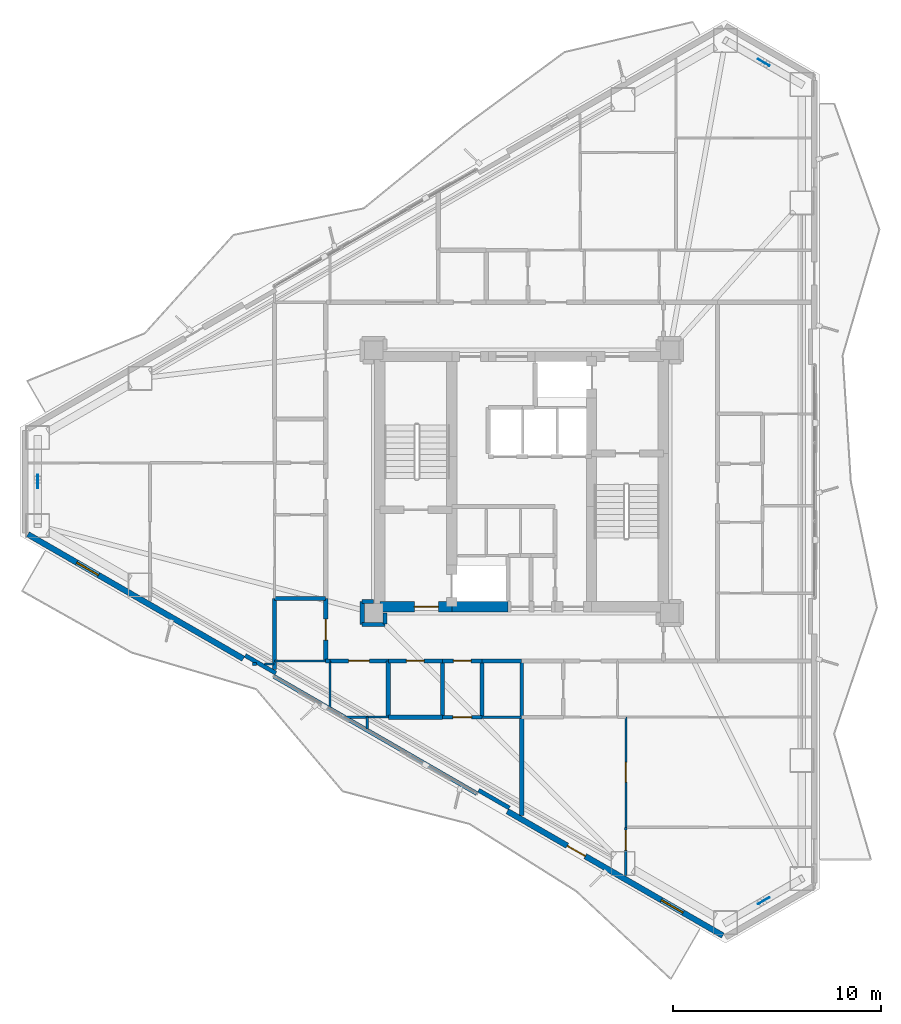
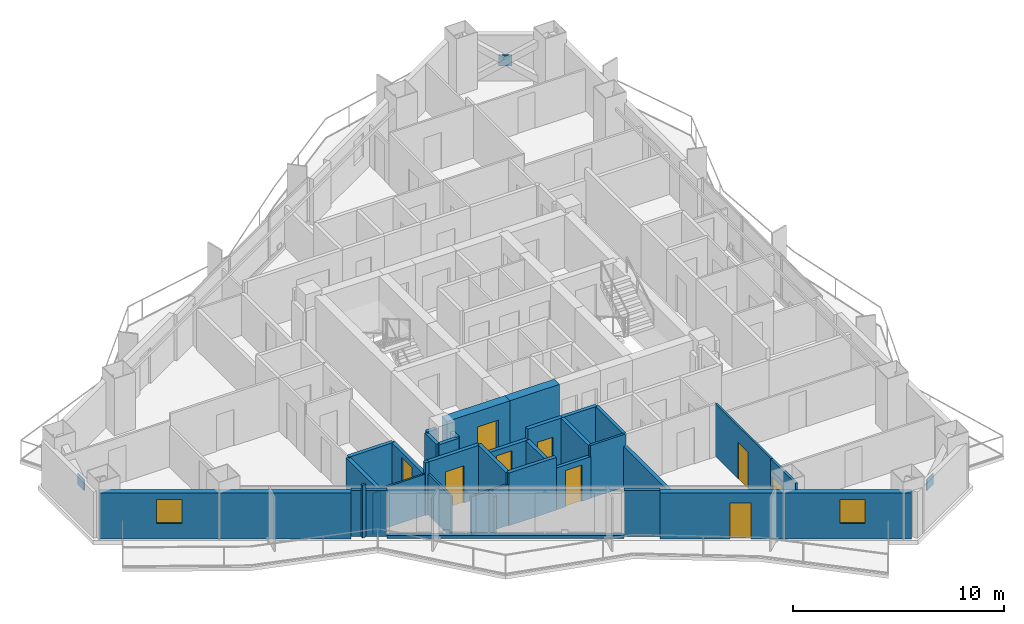
# One storey, part 15 of 22: 36 walls, 9 doors, 3 plates, 2 windows, 11 openings.
"""IFC4 building model written with IfcOpenShell, lengths in metres."""

from ifc_helpers import new_model, si_unit, direction, frame, frame_2d, origin, origin_2d, place, context, subcontext, project, spatial, rectangle, extrude, material, layer, layer_set, type_object, element, fill, save


model = new_model("IFC4")

# Units and contexts
model_context = context("Model", 3, precision=1e-05, world=origin(), true_north=direction((0.0, 1.0)))
body_context = subcontext(model_context, "Body", "Model", "MODEL_VIEW")
ifc_project = project(units=[si_unit("LENGTHUNIT", "METRE"), si_unit("AREAUNIT", "SQUARE_METRE"), si_unit("VOLUMEUNIT", "CUBIC_METRE"), si_unit("PLANEANGLEUNIT", "RADIAN"), si_unit("MASSUNIT", "GRAM", prefix="KILO")], contexts=[model_context])

# Site, building, storey
site_placement = place(None, origin())
site = spatial("IfcSite", under=ifc_project, at=site_placement, CompositionType="ELEMENT")
building_placement = place(site_placement, origin())
building = spatial("IfcBuilding", under=site, at=building_placement, Name="Mersakhor Tower and Convention Hall", CompositionType="ELEMENT")
storey_placement = place(building_placement, frame((0.0, 0.0, 76.800048828125)))
storey = spatial("IfcBuildingStorey", under=building, at=storey_placement, Name="L20", CompositionType="ELEMENT", Elevation=76.800048828125)

# Plates
ifc_material_1 = material(Name="Steel S460", Category="steel")
ifc_layer_1 = layer(ifc_material_1, 0.0400390625)
ifc_layer_set_1 = layer_set([ifc_layer_1], Name="Steel S460")
plate_type = type_object("IfcPlateType", Name="PL-GUSSET-40", PredefinedType="SHEET", material=ifc_layer_set_1)
for number, where, z_axis, x_axis, name in (
    (1, (40.606689453125, 46.853515625, 1.205078125), (0.0, 0.0, 1.0), (-0.866025403784, 0.5, 0.0), "L20 X-Brace Crossing Gusset Node Plate"),
    (2, (40.606689453125, 6.646728515625, 1.205078125), (0.0, 0.0, 1.0), (0.866025403784, 0.5, 0.0), "L20 X-Brace Crossing Gusset Node Plate"),
    (3, (5.78662109375, 26.75, 1.205078125), (0.0, 0.0, 1.0), (0.0, -1.0, 0.0), "L20 X-Brace Crossing Gusset Node Plate"),
):
    element("IfcPlate", number, at=place(storey_placement, frame(where, z_axis=z_axis, x_axis=x_axis)), inside=storey, type_object=plate_type, Name=name, PredefinedType="SHEET", context=body_context, shape_type="SweptSolid", body=[
        extrude(rectangle(XDim=0.639892578125, YDim=0.0400390625, at=origin_2d()), origin(), (0.0, 0.0, 1.0), 0.639892578125),
    ])

# Wall, openings, door, window
ifc_material_2 = material(Name="Precast concrete C45/55", Category="concrete")
ifc_layer_2 = layer(ifc_material_2, 0.27490234375)
ifc_layer_set_2 = layer_set([ifc_layer_2], Name="Precast concrete C45/55")
wall_type_1 = type_object("IfcWallType", Name="WL-EXT-275", PredefinedType="SOLIDWALL", material=ifc_layer_set_2)
wall_1_placement = place(storey_placement, frame((38.648681640625, 4.973388671875, 0.0), z_axis=(0.0, 0.0, 1.0), x_axis=(-0.866023023012, 0.500004123596, 0.0)))
wall_1 = element("IfcWall", 4, at=wall_1_placement, inside=storey, type_object=wall_type_1, Name="L20 Exterior Facade Wall F3-B1", PredefinedType="SOLIDWALL", context=body_context, shape_type="SweptSolid", body=[
    extrude(rectangle(XDim=11.9296875, YDim=0.27490234375, at=frame_2d((5.96484375, 0.0))), origin(), (0.0, 0.0, 1.0), 2.669921875),
])
opening_1_placement = place(wall_1_placement, frame((7.615966796875, 0.0, 0.0)))
opening_1 = element("IfcOpeningElement", 5, at=opening_1_placement, cuts=wall_1, Name="Opening BD-01", PredefinedType="OPENING", context=body_context, shape_type="SweptSolid", body=[
    extrude(rectangle(XDim=1.0, YDim=2.10009765625, at=frame_2d((0.5, 1.050048828125))), frame((0.0, 0.1474609375, 0.0), z_axis=(0.0, -1.0, 0.0), x_axis=(1.0, 0.0, 0.0)), (0.0, 0.0, 1.0), 0.294921875),
])
opening_2_placement = place(wall_1_placement, frame((2.20703125, 0.0, 0.89990234375)))
opening_2 = element("IfcOpeningElement", 6, at=opening_2_placement, cuts=wall_1, Name="Opening W-01", PredefinedType="OPENING", context=body_context, shape_type="SweptSolid", body=[
    extrude(rectangle(XDim=1.199951171875, YDim=1.39990234375, at=frame_2d((0.60009765625, 0.699951171875))), frame((0.0, 0.1474609375, 0.0), z_axis=(0.0, -1.0, 0.0), x_axis=(1.0, 0.0, 0.0)), (0.0, 0.0, 1.0), 0.294921875),
])
ifc_material_3 = material(Name="Thermally broken dark aluminium and safety glass", Category="aluminium")
door_type_1 = type_object("IfcDoorType", Name="DR-BAL-100x210", OperationType="NOTDEFINED", PredefinedType="DOOR", material=ifc_material_3)
door_1_placement = place(opening_1_placement, origin())
door_1 = element("IfcDoor", 7, at=door_1_placement, inside=storey, type_object=door_type_1, Name="L20 Balcony Terrace Door F3-B1", OperationType="SINGLE_SWING_LEFT", OverallHeight=2.10009765625, OverallWidth=1.0, PredefinedType="DOOR", context=body_context, shape_type="SweptSolid", body=[
    extrude(rectangle(XDim=1.0, YDim=2.10009765625, at=frame_2d((0.5, 1.050048828125))), frame((0.0, 0.02490234375, 0.0), z_axis=(0.0, -1.0, 0.0), x_axis=(1.0, 0.0, 0.0)), (0.0, 0.0, 1.0), 0.050048828125),
])
fill(opening_1, door_1)
ifc_material_4 = material(Name="Dark solar low-E glazed aluminium window", Category="aluminium")
window_type = type_object("IfcWindowType", Name="WN-RES-120x150", PartitioningType="SINGLE_PANEL", PredefinedType="WINDOW", material=ifc_material_4)
window_1_placement = place(opening_2_placement, origin())
window_1 = element("IfcWindow", 8, at=window_1_placement, inside=storey, type_object=window_type, Name="L20 Bedroom Facade Window F3-B1-1", OverallHeight=1.39990234375, OverallWidth=1.199951171875, PartitioningType="SINGLE_PANEL", PredefinedType="WINDOW", context=body_context, shape_type="SweptSolid", body=[
    extrude(rectangle(XDim=1.199951171875, YDim=1.39990234375, at=frame_2d((0.60009765625, 0.699951171875))), frame((0.0, 0.030029296875, 0.0), z_axis=(0.0, -1.0, 0.0), x_axis=(1.0, 0.0, 0.0)), (0.0, 0.0, 1.0), 0.06005859375),
])
fill(opening_2, window_1)

# Wall, opening, window
wall_2_placement = place(storey_placement, frame((15.64794921875, 18.2529296875, 0.0), z_axis=(0.0, 0.0, 1.0), x_axis=(-0.866023023012, 0.500004123596, 0.0)))
wall_2 = element("IfcWall", 9, at=wall_2_placement, inside=storey, type_object=wall_type_1, Name="L20 Exterior Facade Wall F3-B3", PredefinedType="SOLIDWALL", context=body_context, shape_type="SweptSolid", body=[
    extrude(rectangle(XDim=11.9296875, YDim=0.27490234375, at=frame_2d((5.96484375, 0.0))), origin(), (0.0, 0.0, 1.0), 2.669921875),
])
opening_3_placement = place(wall_2_placement, frame((8.02099609375, 0.0, 0.89990234375)))
opening_3 = element("IfcOpeningElement", 10, at=opening_3_placement, cuts=wall_2, Name="Opening W-01", PredefinedType="OPENING", context=body_context, shape_type="SweptSolid", body=[
    extrude(rectangle(XDim=1.199951171875, YDim=1.39990234375, at=frame_2d((0.60009765625, 0.699951171875))), frame((0.0, 0.1474609375, 0.0), z_axis=(0.0, -1.0, 0.0), x_axis=(1.0, 0.0, 0.0)), (0.0, 0.0, 1.0), 0.294921875),
])
window_2_placement = place(opening_3_placement, origin())
window_2 = element("IfcWindow", 11, at=window_2_placement, inside=storey, type_object=window_type, Name="L20 Bedroom Facade Window F3-B3-1", OverallHeight=1.39990234375, OverallWidth=1.199951171875, PartitioningType="SINGLE_PANEL", PredefinedType="WINDOW", context=body_context, shape_type="SweptSolid", body=[
    extrude(rectangle(XDim=1.199951171875, YDim=1.39990234375, at=frame_2d((0.60009765625, 0.699951171875))), frame((0.0, 0.030029296875, 0.0), z_axis=(0.0, -1.0, 0.0), x_axis=(1.0, 0.0, 0.0)), (0.0, 0.0, 1.0), 0.06005859375),
])
fill(opening_3, window_2)

# Walls
ifc_material_5 = material(Name="Precast concrete C40/50", Category="concrete")
ifc_layer_3 = layer(ifc_material_5, 0.199951171875)
ifc_layer_set_3 = layer_set([ifc_layer_3], Name="Precast concrete C40/50")
wall_type_2 = type_object("IfcWallType", Name="WL-PAR-200", PredefinedType="PARAPET", material=ifc_layer_set_3)
wall_3_placement = place(storey_placement, frame((26.84521484375, 11.788330078125, 0.0), z_axis=(0.0, 0.0, 1.0), x_axis=(-0.866027010039, 0.499997217876, 0.0)))
element("IfcWall", 12, at=wall_3_placement, inside=storey, type_object=wall_type_2, Name="L20 Curtain Wall Upstand Sill F3-B2", PredefinedType="PARAPET", context=body_context, shape_type="SweptSolid", body=[
    extrude(rectangle(XDim=11.2294921875, YDim=0.199951171875, at=frame_2d((5.61474609375, 0.0))), origin(), (0.0, 0.0, 1.0), 0.199951171875),
])
wall_4_placement = place(storey_placement, frame((28.407470703125, 11.09423828125, 0.0), z_axis=(0.0, 0.0, 1.0), x_axis=(-0.86605165483, 0.499954529098, 0.0)))
element("IfcWall", 13, at=wall_4_placement, inside=storey, type_object=wall_type_2, Name="L20 Column Pier Cladding Wall F3-C1", PredefinedType="PARAPET", context=body_context, shape_type="SweptSolid", body=[
    extrude(rectangle(XDim=1.699951171875, YDim=0.199951171875, at=frame_2d((0.85009765625, 0.0))), origin(), (0.0, 0.0, 1.0), 2.669921875),
])
wall_5_placement = place(storey_placement, frame((17.210205078125, 17.558837890625, 0.0), z_axis=(0.0, 0.0, 1.0), x_axis=(-0.866025371046, 0.500000056704, 0.0)))
element("IfcWall", 14, at=wall_5_placement, inside=storey, type_object=wall_type_2, Name="L20 Column Pier Cladding Wall F3-C2", PredefinedType="PARAPET", context=body_context, shape_type="SweptSolid", body=[
    extrude(rectangle(XDim=1.7001953125, YDim=0.199951171875, at=frame_2d((0.85009765625, 0.0))), origin(), (0.0, 0.0, 1.0), 2.669921875),
])

# Wall, opening, door
ifc_material_6 = material(Name="Moisture-resistant acoustic drywall studwork", Category="other")
ifc_layer_4 = layer(ifc_material_6, 0.175048828125)
ifc_layer_set_4 = layer_set([ifc_layer_4], Name="Moisture-resistant acoustic drywall studwork")
wall_type_3 = type_object("IfcWallType", Name="WL-PLM-175", PredefinedType="PLUMBINGWALL", material=ifc_layer_set_4)
wall_6_placement = place(storey_placement, frame((27.10009765625, 15.449951171875, 0.0), z_axis=(0.0, 0.0, 1.0), x_axis=(-1.0, 0.0, 0.0)))
wall_6 = element("IfcWall", 15, at=wall_6_placement, inside=storey, type_object=wall_type_3, Name="L20 Interior Partition Wall P-086", PredefinedType="PLUMBINGWALL", context=body_context, shape_type="SweptSolid", body=[
    extrude(rectangle(XDim=1.900146484375, YDim=0.175048828125, at=frame_2d((0.9501953125, 0.0))), origin(), (0.0, 0.0, 1.0), 2.4228515625),
])
opening_4_placement = place(wall_6_placement, frame((0.5, 0.0, 0.0)))
opening_4 = element("IfcOpeningElement", 16, at=opening_4_placement, cuts=wall_6, Name="Opening WD-01", PredefinedType="OPENING", context=body_context, shape_type="SweptSolid", body=[
    extrude(rectangle(XDim=0.89990234375, YDim=2.10009765625, at=frame_2d((0.449951171875, 1.050048828125))), frame((0.0, 0.097412109375, 0.0), z_axis=(0.0, -1.0, 0.0), x_axis=(1.0, 0.0, 0.0)), (0.0, 0.0, 1.0), 0.195068359375),
])
ifc_material_7 = material(Name="Solid-core hardwood leaf in painted steel frame", Category="steel")
door_type_2 = type_object("IfcDoorType", Name="DR-INT-WET-090x210", OperationType="NOTDEFINED", PredefinedType="DOOR", material=ifc_material_7)
door_2_placement = place(opening_4_placement, origin())
door_2 = element("IfcDoor", 17, at=door_2_placement, inside=storey, type_object=door_type_2, Name="L20 L20 Floor Shared Restroom WC 2-2 to L20 Floor Residents Study Room 2-4 Door", OperationType="SINGLE_SWING_RIGHT", OverallHeight=2.10009765625, OverallWidth=0.89990234375, PredefinedType="DOOR", context=body_context, shape_type="SweptSolid", body=[
    extrude(rectangle(XDim=0.89990234375, YDim=2.10009765625, at=frame_2d((0.449951171875, 1.050048828125))), frame((0.0, 0.02490234375, 0.0), z_axis=(0.0, -1.0, 0.0), x_axis=(1.0, 0.0, 0.0)), (0.0, 0.0, 1.0), 0.050048828125),
])
fill(opening_4, door_2)

# Walls
for number, where, z_axis, x_axis, name in (
    (18, (27.10009765625, 18.14990234375, 0.0), (0.0, 0.0, 1.0), (0.0, -1.0, 0.0), "L20 Interior Partition Wall P-088"),
    (19, (29.0, 15.449951171875, 0.0), (0.0, 0.0, 1.0), (0.0, 1.0, 0.0), "L20 Interior Partition Wall P-090"),
):
    element("IfcWall", number, at=place(storey_placement, frame(where, z_axis=z_axis, x_axis=x_axis)), inside=storey, type_object=wall_type_3, Name=name, PredefinedType="PLUMBINGWALL", context=body_context, shape_type="SweptSolid", body=[
        extrude(rectangle(XDim=2.699951171875, YDim=0.175048828125, at=frame_2d((1.35009765625, 0.0))), origin(), (0.0, 0.0, 1.0), 3.050048828125),
    ])
ifc_material_8 = material(Name="Lightweight gypsum partition", Category="other")
ifc_layer_5 = layer(ifc_material_8, 0.10009765625)
ifc_layer_set_5 = layer_set([ifc_layer_5], Name="Lightweight gypsum partition")
wall_type_4 = type_object("IfcWallType", Name="WL-PRT-100", PredefinedType="PARTITIONING", material=ifc_layer_set_5)
wall_7_placement = place(storey_placement, frame((19.60009765625, 18.14990234375, 0.0), z_axis=(0.0, 0.0, 1.0), x_axis=(-1.0, 0.0, 0.0)))
element("IfcWall", 20, at=wall_7_placement, inside=storey, type_object=wall_type_4, Name="L20 Interior Partition Wall P-108", PredefinedType="PARTITIONING", context=body_context, shape_type="SweptSolid", body=[
    extrude(rectangle(XDim=2.4501953125, YDim=0.10009765625, at=frame_2d((1.22509765625, 0.0))), origin(), (0.0, 0.0, 1.0), 2.364990234375),
])
wall_8_placement = place(storey_placement, frame((22.60009765625, 15.449951171875, 0.0), z_axis=(0.0, 0.0, 1.0), x_axis=(-1.0, 0.0, 0.0)))
element("IfcWall", 21, at=wall_8_placement, inside=storey, type_object=wall_type_4, Name="L20 Interior Partition Wall P-122", PredefinedType="PARTITIONING", context=body_context, shape_type="SweptSolid", body=[
    extrude(rectangle(XDim=1.0, YDim=0.10009765625, at=frame_2d((0.5, 0.0))), origin(), (0.0, 0.0, 1.0), 2.364990234375),
])
wall_9_placement = place(storey_placement, frame((19.800048828125, 15.8974609375, 0.0), z_axis=(0.0, 0.0, 1.0), x_axis=(0.0, 1.0, 0.0)))
element("IfcWall", 22, at=wall_9_placement, inside=storey, type_object=wall_type_4, Name="L20 Interior Partition Wall P-124", PredefinedType="PARTITIONING", context=body_context, shape_type="SweptSolid", body=[
    extrude(rectangle(XDim=2.25244140625, YDim=0.10009765625, at=frame_2d((1.126220703125, 0.0))), origin(), (0.0, 0.0, 1.0), 2.364990234375),
])

# Wall, opening, door
wall_10_placement = place(storey_placement, frame((34.0, 15.449951171875, 0.0), z_axis=(0.0, 0.0, 1.0), x_axis=(0.0, -1.0, 0.0)))
wall_10 = element("IfcWall", 23, at=wall_10_placement, inside=storey, type_object=wall_type_4, Name="L20 Interior Partition Wall P-128", PredefinedType="PARTITIONING", context=body_context, shape_type="SweptSolid", body=[
    extrude(rectangle(XDim=5.280029296875, YDim=0.10009765625, at=frame_2d((2.64013671875, 0.0))), origin(), (0.0, 0.0, 1.0), 3.050048828125),
])
opening_5_placement = place(wall_10_placement, frame((2.1650390625, 0.0, 0.0)))
opening_5 = element("IfcOpeningElement", 24, at=opening_5_placement, cuts=wall_10, Name="Opening RD-01", PredefinedType="OPENING", context=body_context, shape_type="SweptSolid", body=[
    extrude(rectangle(XDim=0.949951171875, YDim=2.10009765625, at=frame_2d((0.47509765625, 1.050048828125))), frame((0.0, 0.06005859375, 0.0), z_axis=(0.0, -1.0, 0.0), x_axis=(1.0, 0.0, 0.0)), (0.0, 0.0, 1.0), 0.1201171875),
])
ifc_material_9 = material(Name="Solid-core hardwood leaf in painted steel frame", Category="steel")
door_type_3 = type_object("IfcDoorType", Name="DR-INT-RM-095x210", OperationType="NOTDEFINED", PredefinedType="DOOR", material=ifc_material_9)
door_3_placement = place(opening_5_placement, origin())
door_3 = element("IfcDoor", 25, at=door_3_placement, inside=storey, type_object=door_type_3, Name="L20 L20 Flat S3 Living and Dining Room to L20 Flat S3 Dining Room Door", OperationType="SINGLE_SWING_LEFT", OverallHeight=2.10009765625, OverallWidth=0.949951171875, PredefinedType="DOOR", context=body_context, shape_type="SweptSolid", body=[
    extrude(rectangle(XDim=0.949951171875, YDim=2.10009765625, at=frame_2d((0.47509765625, 1.050048828125))), frame((0.0, 0.02490234375, 0.0), z_axis=(0.0, -1.0, 0.0), x_axis=(1.0, 0.0, 0.0)), (0.0, 0.0, 1.0), 0.050048828125),
])
fill(opening_5, door_3)

# Walls
wall_11_placement = place(storey_placement, frame((17.1201171875, 18.0, 0.0), z_axis=(0.0, 0.0, 1.0), x_axis=(-1.0, 0.0, 0.0)))
element("IfcWall", 26, at=wall_11_placement, inside=storey, type_object=wall_type_4, Name="L20 Interior Partition Wall P-136", PredefinedType="PARTITIONING", context=body_context, shape_type="SweptSolid", body=[
    extrude(rectangle(XDim=0.448486328125, YDim=0.10009765625, at=frame_2d((0.22412109375, 0.0))), origin(), (0.0, 0.0, 1.0), 2.364990234375),
])
ifc_material_10 = material(Name="Gypsum board acoustic partition", Category="other")
ifc_layer_6 = layer(ifc_material_10, 0.125)
ifc_layer_set_6 = layer_set([ifc_layer_6], Name="Gypsum board acoustic partition")
wall_type_5 = type_object("IfcWallType", Name="WL-PRT-125", PredefinedType="PARTITIONING", material=ifc_layer_set_6)
wall_12_placement = place(storey_placement, frame((21.60009765625, 15.449951171875, 0.0), z_axis=(0.0, 0.0, 1.0), x_axis=(-1.0, 0.0, 0.0)))
element("IfcWall", 27, at=wall_12_placement, inside=storey, type_object=wall_type_5, Name="L20 Interior Partition Wall P-123", PredefinedType="PARTITIONING", context=body_context, shape_type="SweptSolid", body=[
    extrude(rectangle(XDim=1.03173828125, YDim=0.125, at=frame_2d((0.515869140625, 0.0))), origin(), (0.0, 0.0, 1.0), 2.364990234375),
])
wall_13_placement = place(storey_placement, frame((27.10009765625, 15.449951171875, 0.0), z_axis=(0.0, 0.0, 1.0), x_axis=(1.0, 0.0, 0.0)))
element("IfcWall", 28, at=wall_13_placement, inside=storey, type_object=wall_type_5, Name="L20 Interior Partition Wall P-125", PredefinedType="PARTITIONING", context=body_context, shape_type="SweptSolid", body=[
    extrude(rectangle(XDim=1.89990234375, YDim=0.125, at=frame_2d((0.949951171875, 0.0))), origin(), (0.0, 0.0, 1.0), 3.050048828125),
])
wall_14_placement = place(storey_placement, frame((21.60009765625, 14.88818359375, 0.0), z_axis=(0.0, 0.0, 1.0), x_axis=(0.0, 1.0, 0.0)))
element("IfcWall", 29, at=wall_14_placement, inside=storey, type_object=wall_type_5, Name="L20 Interior Partition Wall P-127", PredefinedType="PARTITIONING", context=body_context, shape_type="SweptSolid", body=[
    extrude(rectangle(XDim=0.561767578125, YDim=0.125, at=frame_2d((0.28076171875, 0.0))), origin(), (0.0, 0.0, 1.0), 2.364990234375),
])

# Wall, opening, door
wall_15_placement = place(storey_placement, frame((34.0, 10.169921875, 0.0), z_axis=(0.0, 0.0, 1.0), x_axis=(0.0, -1.0, 0.0)))
wall_15 = element("IfcWall", 30, at=wall_15_placement, inside=storey, type_object=wall_type_5, Name="L20 Interior Partition Wall P-129", PredefinedType="PARTITIONING", context=body_context, shape_type="SweptSolid", body=[
    extrude(rectangle(XDim=2.325927734375, YDim=0.125, at=frame_2d((1.1630859375, 0.0))), origin(), (0.0, 0.0, 1.0), 3.050048828125),
])
opening_6_placement = place(wall_15_placement, frame((0.140869140625, 0.0, 0.0)))
opening_6 = element("IfcOpeningElement", 31, at=opening_6_placement, cuts=wall_15, Name="Opening RD-01", PredefinedType="OPENING", context=body_context, shape_type="SweptSolid", body=[
    extrude(rectangle(XDim=0.949951171875, YDim=2.10009765625, at=frame_2d((0.47509765625, 1.050048828125))), frame((0.0, 0.072509765625, 0.0), z_axis=(0.0, -1.0, 0.0), x_axis=(1.0, 0.0, 0.0)), (0.0, 0.0, 1.0), 0.14501953125),
])
door_4_placement = place(opening_6_placement, origin())
door_4 = element("IfcDoor", 32, at=door_4_placement, inside=storey, type_object=door_type_3, Name="L20 L20 Flat S3 Living and Dining Room to L20 Flat S3 Bedroom 1 Door", OperationType="SINGLE_SWING_RIGHT", OverallHeight=2.10009765625, OverallWidth=0.949951171875, PredefinedType="DOOR", context=body_context, shape_type="SweptSolid", body=[
    extrude(rectangle(XDim=0.949951171875, YDim=2.10009765625, at=frame_2d((0.47509765625, 1.050048828125))), frame((0.0, 0.02490234375, 0.0), z_axis=(0.0, -1.0, 0.0), x_axis=(1.0, 0.0, 0.0)), (0.0, 0.0, 1.0), 0.050048828125),
])
fill(opening_6, door_4)

# Walls
wall_16_placement = place(storey_placement, frame((16.2861328125, 18.0, 0.0), z_axis=(0.0, 0.0, 1.0), x_axis=(-1.0, 0.0, 0.0)))
element("IfcWall", 33, at=wall_16_placement, inside=storey, type_object=wall_type_5, Name="L20 Interior Partition Wall P-137", PredefinedType="PARTITIONING", context=body_context, shape_type="SweptSolid", body=[
    extrude(rectangle(XDim=0.2001953125, YDim=0.125, at=frame_2d((0.10009765625, 0.0))), origin(), (0.0, 0.0, 1.0), 3.050048828125),
])
ifc_material_11 = material(Name="Acoustic concrete blockwork and gypsum board", Category="masonry")
ifc_layer_7 = layer(ifc_material_11, 0.199951171875)
ifc_layer_set_7 = layer_set([ifc_layer_7], Name="Acoustic concrete blockwork and gypsum board")
wall_type_6 = type_object("IfcWallType", Name="WL-PRT-200", PredefinedType="PARTITIONING", material=ifc_layer_set_7)
wall_17_placement = place(storey_placement, frame((21.35009765625, 19.89990234375, 0.0), z_axis=(0.0, 0.0, 1.0), x_axis=(1.0, 0.0, 0.0)))
element("IfcWall", 34, at=wall_17_placement, inside=storey, type_object=wall_type_6, Name="L20 Interior Partition Wall P-019", PredefinedType="PARTITIONING", context=body_context, shape_type="SweptSolid", body=[
    extrude(rectangle(XDim=1.099853515625, YDim=0.199951171875, at=frame_2d((0.5498046875, 0.0))), origin(), (0.0, 0.0, 1.0), 2.4228515625),
])
wall_18_placement = place(storey_placement, frame((22.449951171875, 19.929931640625, 0.0), z_axis=(0.0, 0.0, 1.0), x_axis=(0.0, 1.0, 0.0)))
element("IfcWall", 35, at=wall_18_placement, inside=storey, type_object=wall_type_6, Name="L20 Interior Partition Wall P-020", PredefinedType="PARTITIONING", context=body_context, shape_type="SweptSolid", body=[
    extrude(rectangle(XDim=0.52001953125, YDim=0.199951171875, at=frame_2d((0.260009765625, 0.0))), origin(), (0.0, 0.0, 1.0), 2.4228515625),
])
wall_19_placement = place(storey_placement, frame((29.0, 18.14990234375, 0.0), z_axis=(0.0, 0.0, 1.0), x_axis=(-1.0, 0.0, 0.0)))
element("IfcWall", 36, at=wall_19_placement, inside=storey, type_object=wall_type_6, Name="L20 Interior Partition Wall P-027", PredefinedType="PARTITIONING", context=body_context, shape_type="SweptSolid", body=[
    extrude(rectangle(XDim=1.89990234375, YDim=0.199951171875, at=frame_2d((0.949951171875, 0.0))), origin(), (0.0, 0.0, 1.0), 3.050048828125),
])

# Wall, opening, door
wall_20_placement = place(storey_placement, frame((27.10009765625, 18.14990234375, 0.0), z_axis=(0.0, 0.0, 1.0), x_axis=(-1.0, 0.0, 0.0)))
wall_20 = element("IfcWall", 37, at=wall_20_placement, inside=storey, type_object=wall_type_6, Name="L20 Interior Partition Wall P-028", PredefinedType="PARTITIONING", context=body_context, shape_type="SweptSolid", body=[
    extrude(rectangle(XDim=1.900146484375, YDim=0.199951171875, at=frame_2d((0.9501953125, 0.0))), origin(), (0.0, 0.0, 1.0), 3.050048828125),
])
opening_7_placement = place(wall_20_placement, frame((0.52490234375, 0.0, 0.0)))
opening_7 = element("IfcOpeningElement", 38, at=opening_7_placement, cuts=wall_20, Name="Opening SVD-01", PredefinedType="OPENING", context=body_context, shape_type="SweptSolid", body=[
    extrude(rectangle(XDim=0.85009765625, YDim=2.10009765625, at=frame_2d((0.425048828125, 1.050048828125))), frame((0.0, 0.10986328125, 0.0), z_axis=(0.0, -1.0, 0.0), x_axis=(1.0, 0.0, 0.0)), (0.0, 0.0, 1.0), 0.219970703125),
])
ifc_material_12 = material(Name="Fire-rated hardwood leaf and painted steel frame", Category="steel")
door_type_4 = type_object("IfcDoorType", Name="DR-INT-SVC-085x210", OperationType="NOTDEFINED", PredefinedType="DOOR", material=ifc_material_12)
door_5_placement = place(opening_7_placement, origin())
door_5 = element("IfcDoor", 39, at=door_5_placement, inside=storey, type_object=door_type_4, Name="L20 Residential Ring Corridor to L20 Floor Shared Restroom WC 2-2 Door", OperationType="SINGLE_SWING_LEFT", OverallHeight=2.10009765625, OverallWidth=0.85009765625, PredefinedType="DOOR", context=body_context, shape_type="SweptSolid", body=[
    extrude(rectangle(XDim=0.85009765625, YDim=2.10009765625, at=frame_2d((0.425048828125, 1.050048828125))), frame((0.0, 0.02490234375, 0.0), z_axis=(0.0, -1.0, 0.0), x_axis=(1.0, 0.0, 0.0)), (0.0, 0.0, 1.0), 0.050048828125),
])
fill(opening_7, door_5)

wall_21_placement = place(storey_placement, frame((25.199951171875, 18.14990234375, 0.0), z_axis=(0.0, 0.0, 1.0), x_axis=(-1.0, 0.0, 0.0)))
wall_21 = element("IfcWall", 40, at=wall_21_placement, inside=storey, type_object=wall_type_6, Name="L20 Interior Partition Wall P-029", PredefinedType="PARTITIONING", context=body_context, shape_type="SweptSolid", body=[
    extrude(rectangle(XDim=2.599853515625, YDim=0.199951171875, at=frame_2d((1.2998046875, 0.0))), origin(), (0.0, 0.0, 1.0), 2.4228515625),
])
opening_8_placement = place(wall_21_placement, frame((0.875, 0.0, 0.0)))
opening_8 = element("IfcOpeningElement", 41, at=opening_8_placement, cuts=wall_21, Name="Opening SVD-01", PredefinedType="OPENING", context=body_context, shape_type="SweptSolid", body=[
    extrude(rectangle(XDim=0.85009765625, YDim=2.10009765625, at=frame_2d((0.425048828125, 1.050048828125))), frame((0.0, 0.10986328125, 0.0), z_axis=(0.0, -1.0, 0.0), x_axis=(1.0, 0.0, 0.0)), (0.0, 0.0, 1.0), 0.219970703125),
])
door_6_placement = place(opening_8_placement, origin())
door_6 = element("IfcDoor", 42, at=door_6_placement, inside=storey, type_object=door_type_4, Name="L20 Residential Ring Corridor to L20 Floor Household Store Room 2-1 Door", OperationType="SINGLE_SWING_LEFT", OverallHeight=2.10009765625, OverallWidth=0.85009765625, PredefinedType="DOOR", context=body_context, shape_type="SweptSolid", body=[
    extrude(rectangle(XDim=0.85009765625, YDim=2.10009765625, at=frame_2d((0.425048828125, 1.050048828125))), frame((0.0, 0.02490234375, 0.0), z_axis=(0.0, -1.0, 0.0), x_axis=(1.0, 0.0, 0.0)), (0.0, 0.0, 1.0), 0.050048828125),
])
fill(opening_8, door_6)

wall_22_placement = place(storey_placement, frame((22.60009765625, 18.14990234375, 0.0), z_axis=(0.0, 0.0, 1.0), x_axis=(-1.0, 0.0, 0.0)))
wall_22 = element("IfcWall", 43, at=wall_22_placement, inside=storey, type_object=wall_type_6, Name="L20 Interior Partition Wall P-030", PredefinedType="PARTITIONING", context=body_context, shape_type="SweptSolid", body=[
    extrude(rectangle(XDim=2.800048828125, YDim=0.199951171875, at=frame_2d((1.39990234375, 0.0))), origin(), (0.0, 0.0, 1.0), 3.050048828125),
])
opening_9_placement = place(wall_22_placement, frame((0.89990234375, 0.0, 0.0)))
opening_9 = element("IfcOpeningElement", 44, at=opening_9_placement, cuts=wall_22, Name="Opening FD-01", PredefinedType="OPENING", context=body_context, shape_type="SweptSolid", body=[
    extrude(rectangle(XDim=1.0, YDim=2.14990234375, at=frame_2d((0.5, 1.074951171875))), frame((0.0, 0.10986328125, 0.0), z_axis=(0.0, -1.0, 0.0), x_axis=(1.0, 0.0, 0.0)), (0.0, 0.0, 1.0), 0.219970703125),
])
ifc_material_13 = material(Name="Fire-rated hardwood leaf and painted steel frame", Category="steel")
door_type_5 = type_object("IfcDoorType", Name="DR-INT-FLT-100x215", OperationType="NOTDEFINED", PredefinedType="DOOR", material=ifc_material_13)
door_7_placement = place(opening_9_placement, origin())
door_7 = element("IfcDoor", 45, at=door_7_placement, inside=storey, type_object=door_type_5, Name="L20 Residential Ring Corridor to L20 Floor Shared Tea Pantry 2-3 Door", OperationType="SINGLE_SWING_RIGHT", OverallHeight=2.14990234375, OverallWidth=1.0, PredefinedType="DOOR", context=body_context, shape_type="SweptSolid", body=[
    extrude(rectangle(XDim=1.0, YDim=2.14990234375, at=frame_2d((0.5, 1.074951171875))), frame((0.0, 0.02490234375, 0.0), z_axis=(0.0, -1.0, 0.0), x_axis=(1.0, 0.0, 0.0)), (0.0, 0.0, 1.0), 0.050048828125),
])
fill(opening_9, door_7)

# Wall
wall_23_placement = place(storey_placement, frame((19.800048828125, 18.14990234375, 0.0), z_axis=(0.0, 0.0, 1.0), x_axis=(-1.0, 0.0, 0.0)))
element("IfcWall", 46, at=wall_23_placement, inside=storey, type_object=wall_type_6, Name="L20 Interior Partition Wall P-031", PredefinedType="PARTITIONING", context=body_context, shape_type="SweptSolid", body=[
    extrude(rectangle(XDim=0.199951171875, YDim=0.199951171875, at=frame_2d((0.10009765625, 0.0))), origin(), (0.0, 0.0, 1.0), 3.050048828125),
])

# Wall, opening, door
wall_24_placement = place(storey_placement, frame((19.60009765625, 18.14990234375, 0.0), z_axis=(0.0, 0.0, 1.0), x_axis=(0.0, 1.0, 0.0)))
wall_24 = element("IfcWall", 47, at=wall_24_placement, inside=storey, type_object=wall_type_6, Name="L20 Interior Partition Wall P-032", PredefinedType="PARTITIONING", context=body_context, shape_type="SweptSolid", body=[
    extrude(rectangle(XDim=3.0, YDim=0.199951171875, at=frame_2d((1.5, 0.0))), origin(), (0.0, 0.0, 1.0), 2.4228515625),
])
opening_10_placement = place(wall_24_placement, frame((1.0, 0.0, 0.0)))
opening_10 = element("IfcOpeningElement", 48, at=opening_10_placement, cuts=wall_24, Name="Opening FD-01", PredefinedType="OPENING", context=body_context, shape_type="SweptSolid", body=[
    extrude(rectangle(XDim=1.0, YDim=2.14990234375, at=frame_2d((0.5, 1.074951171875))), frame((0.0, 0.10986328125, 0.0), z_axis=(0.0, -1.0, 0.0), x_axis=(1.0, 0.0, 0.0)), (0.0, 0.0, 1.0), 0.219970703125),
])
door_8_placement = place(opening_10_placement, origin())
door_8 = element("IfcDoor", 49, at=door_8_placement, inside=storey, type_object=door_type_5, Name="L20 Residential Ring Corridor to L20 West Wing Shared Laundry Room Door", OperationType="SINGLE_SWING_RIGHT", OverallHeight=2.14990234375, OverallWidth=1.0, PredefinedType="DOOR", context=body_context, shape_type="SweptSolid", body=[
    extrude(rectangle(XDim=1.0, YDim=2.14990234375, at=frame_2d((0.5, 1.074951171875))), frame((0.0, 0.02490234375, 0.0), z_axis=(0.0, -1.0, 0.0), x_axis=(1.0, 0.0, 0.0)), (0.0, 0.0, 1.0), 0.050048828125),
])
fill(opening_10, door_8)

# Walls
wall_25_placement = place(storey_placement, frame((21.89990234375, 21.0, 0.0), z_axis=(0.0, 0.0, 1.0), x_axis=(-1.0, 0.0, 0.0)))
element("IfcWall", 50, at=wall_25_placement, inside=storey, type_object=wall_type_6, Name="L20 Interior Partition Wall P-051", PredefinedType="PARTITIONING", context=body_context, shape_type="SweptSolid", body=[
    extrude(rectangle(XDim=0.5498046875, YDim=0.199951171875, at=frame_2d((0.27490234375, 0.0))), origin(), (0.0, 0.0, 1.0), 2.498291015625),
])
wall_26_placement = place(storey_placement, frame((21.35009765625, 21.0, 0.0), z_axis=(0.0, 0.0, 1.0), x_axis=(0.0, -1.0, 0.0)))
element("IfcWall", 51, at=wall_26_placement, inside=storey, type_object=wall_type_6, Name="L20 Interior Partition Wall P-052", PredefinedType="PARTITIONING", context=body_context, shape_type="SweptSolid", body=[
    extrude(rectangle(XDim=1.10009765625, YDim=0.199951171875, at=frame_2d((0.550048828125, 0.0))), origin(), (0.0, 0.0, 1.0), 2.4228515625),
])
wall_27_placement = place(storey_placement, frame((25.199951171875, 15.449951171875, 0.0), z_axis=(0.0, 0.0, 1.0), x_axis=(0.0, 1.0, 0.0)))
element("IfcWall", 52, at=wall_27_placement, inside=storey, type_object=wall_type_6, Name="L20 Interior Partition Wall P-087", PredefinedType="PARTITIONING", context=body_context, shape_type="SweptSolid", body=[
    extrude(rectangle(XDim=2.699951171875, YDim=0.199951171875, at=frame_2d((1.35009765625, 0.0))), origin(), (0.0, 0.0, 1.0), 2.4228515625),
])
wall_28_placement = place(storey_placement, frame((19.60009765625, 21.14990234375, 0.0), z_axis=(0.0, 0.0, 1.0), x_axis=(-1.0, 0.0, 0.0)))
element("IfcWall", 53, at=wall_28_placement, inside=storey, type_object=wall_type_6, Name="L20 Interior Partition Wall P-097", PredefinedType="PARTITIONING", context=body_context, shape_type="SweptSolid", body=[
    extrude(rectangle(XDim=2.4501953125, YDim=0.199951171875, at=frame_2d((1.22509765625, 0.0))), origin(), (0.0, 0.0, 1.0), 2.4228515625),
])
wall_29_placement = place(storey_placement, frame((17.14990234375, 17.73681640625, 0.0), z_axis=(0.0, 0.0, 1.0), x_axis=(0.0, 1.0, 0.0)))
element("IfcWall", 54, at=wall_29_placement, inside=storey, type_object=wall_type_6, Name="L20 Interior Partition Wall P-107", PredefinedType="PARTITIONING", context=body_context, shape_type="SweptSolid", body=[
    extrude(rectangle(XDim=3.4130859375, YDim=0.199951171875, at=frame_2d((1.70654296875, 0.0))), origin(), (0.0, 0.0, 1.0), 2.364990234375),
])
wall_30_placement = place(storey_placement, frame((25.199951171875, 15.449951171875, 0.0), z_axis=(0.0, 0.0, 1.0), x_axis=(-1.0, 0.0, 0.0)))
element("IfcWall", 55, at=wall_30_placement, inside=storey, type_object=wall_type_6, Name="L20 Interior Partition Wall P-120", PredefinedType="PARTITIONING", context=body_context, shape_type="SweptSolid", body=[
    extrude(rectangle(XDim=2.599853515625, YDim=0.199951171875, at=frame_2d((1.2998046875, 0.0))), origin(), (0.0, 0.0, 1.0), 3.050048828125),
])
wall_31_placement = place(storey_placement, frame((22.60009765625, 15.449951171875, 0.0), z_axis=(0.0, 0.0, 1.0), x_axis=(0.0, 1.0, 0.0)))
element("IfcWall", 56, at=wall_31_placement, inside=storey, type_object=wall_type_6, Name="L20 Interior Partition Wall P-121", PredefinedType="PARTITIONING", context=body_context, shape_type="SweptSolid", body=[
    extrude(rectangle(XDim=2.699951171875, YDim=0.199951171875, at=frame_2d((1.35009765625, 0.0))), origin(), (0.0, 0.0, 1.0), 3.050048828125),
])
wall_32_placement = place(storey_placement, frame((29.0, 15.449951171875, 0.0), z_axis=(0.0, 0.0, 1.0), x_axis=(0.0, -1.0, 0.0)))
element("IfcWall", 57, at=wall_32_placement, inside=storey, type_object=wall_type_6, Name="L20 Interior Partition Wall P-126", PredefinedType="PARTITIONING", context=body_context, shape_type="SweptSolid", body=[
    extrude(rectangle(XDim=4.71923828125, YDim=0.199951171875, at=frame_2d((2.359619140625, 0.0))), origin(), (0.0, 0.0, 1.0), 2.364990234375),
])
ifc_material_14 = material(Name="Concrete C70/85", Category="concrete")
ifc_layer_8 = layer(ifc_material_14, 0.5)
ifc_layer_set_8 = layer_set([ifc_layer_8], Name="Concrete C70/85")
wall_type_7 = type_object("IfcWallType", Name="WL-SHR-500", PredefinedType="SHEAR", material=ifc_layer_set_8)
wall_33_placement = place(storey_placement, frame((28.35009765625, 20.75, 0.0), z_axis=(0.0, 0.0, 1.0), x_axis=(-1.0, 0.0, 0.0)))
element("IfcWall", 58, at=wall_33_placement, inside=storey, type_object=wall_type_7, Name="L20 Core Wall CW-S3", PredefinedType="SHEAR", context=body_context, shape_type="SweptSolid", body=[
    extrude(rectangle(XDim=2.7001953125, YDim=0.5, at=frame_2d((1.35009765625, 0.0))), origin(), (0.0, 0.0, 1.0), 3.050048828125),
])

# Wall, opening, door
wall_34_placement = place(storey_placement, frame((25.64990234375, 20.75, 0.0), z_axis=(0.0, 0.0, 1.0), x_axis=(-1.0, 0.0, 0.0)))
wall_34 = element("IfcWall", 59, at=wall_34_placement, inside=storey, type_object=wall_type_7, Name="L20 Core Wall CW-S4", PredefinedType="SHEAR", context=body_context, shape_type="SweptSolid", body=[
    extrude(rectangle(XDim=3.449951171875, YDim=0.5, at=frame_2d((1.72509765625, 0.0))), origin(), (0.0, 0.0, 1.0), 3.050048828125),
])
opening_11_placement = place(wall_34_placement, frame((0.64990234375, 0.0, 0.0)))
opening_11 = element("IfcOpeningElement", 60, at=opening_11_placement, cuts=wall_34, Name="Opening SD-01", PredefinedType="OPENING", context=body_context, shape_type="SweptSolid", body=[
    extrude(rectangle(XDim=1.14990234375, YDim=2.14990234375, at=frame_2d((0.574951171875, 1.074951171875))), frame((0.0, 0.260009765625, 0.0), z_axis=(0.0, -1.0, 0.0), x_axis=(1.0, 0.0, 0.0)), (0.0, 0.0, 1.0), 0.52001953125),
])
ifc_material_15 = material(Name="Fire-rated hardwood leaf and painted steel frame", Category="steel")
door_type_6 = type_object("IfcDoorType", Name="DR-INT-STAIR-115x215", OperationType="NOTDEFINED", PredefinedType="DOOR", material=ifc_material_15)
door_9_placement = place(opening_11_placement, origin())
door_9 = element("IfcDoor", 61, at=door_9_placement, inside=storey, type_object=door_type_6, Name="L20 Firefighting Lobby West Fire Door", OperationType="SINGLE_SWING_LEFT", OverallHeight=2.14990234375, OverallWidth=1.14990234375, PredefinedType="DOOR", context=body_context, shape_type="SweptSolid", body=[
    extrude(rectangle(XDim=1.14990234375, YDim=2.14990234375, at=frame_2d((0.574951171875, 1.074951171875))), frame((0.0, 0.02490234375, 0.0), z_axis=(0.0, -1.0, 0.0), x_axis=(1.0, 0.0, 0.0)), (0.0, 0.0, 1.0), 0.050048828125),
])
fill(opening_11, door_9)

save(model, "model.ifc")
